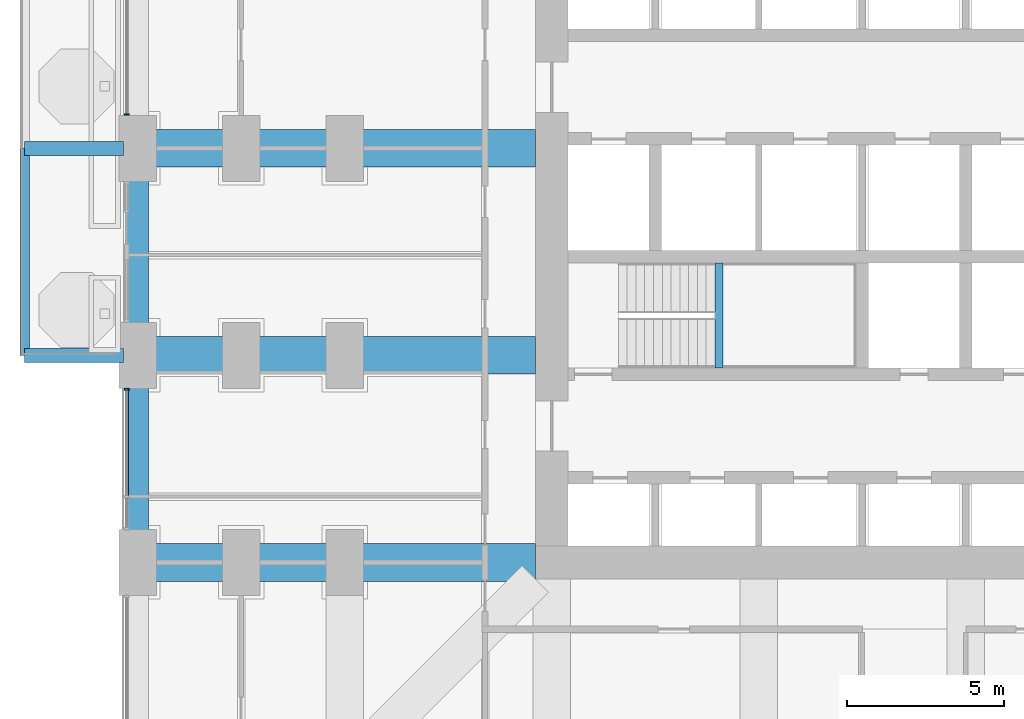
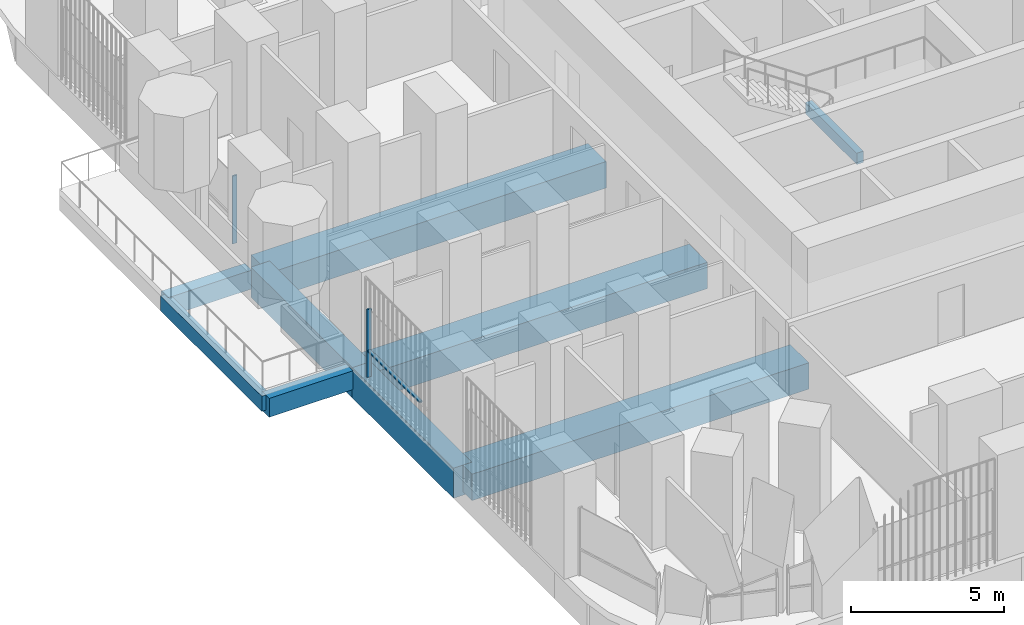
# One storey, part 3 of 26: 9 beams, 3 members, 2 elements without a shape of their own.
"""IFC4 building model written with IfcOpenShell, lengths in metres."""

from ifc_helpers import new_model, si_unit, direction, frame, origin, origin_2d, place, context, subcontext, project, spatial, rectangle, extrude, material, material_profile, profile_set, type_object, element, aggregate, save


model = new_model("IFC4")

# Units and contexts
model_context = context("Model", 3, precision=1e-05, world=origin(), true_north=direction((0.0, 1.0)))
body_context = subcontext(model_context, "Body", "Model", "MODEL_VIEW")
ifc_project = project(units=[si_unit("LENGTHUNIT", "METRE"), si_unit("AREAUNIT", "SQUARE_METRE"), si_unit("VOLUMEUNIT", "CUBIC_METRE"), si_unit("PLANEANGLEUNIT", "RADIAN"), si_unit("MASSUNIT", "GRAM", prefix="KILO")], contexts=[model_context])

# Site, building, storey
site_placement = place(None, origin())
site = spatial("IfcSite", under=ifc_project, at=site_placement, CompositionType="ELEMENT")
building_placement = place(site_placement, origin())
building = spatial("IfcBuilding", under=site, at=building_placement, Name="Cobogo Forest Laboratory Tower", CompositionType="ELEMENT")
storey_placement = place(building_placement, frame((0.0, 0.0, 50.699951171875)))
storey = spatial("IfcBuildingStorey", under=building, at=storey_placement, Name="L11", CompositionType="ELEMENT", Elevation=50.699951171875)

# Beams
ifc_material_1 = material(Name="Concrete HA-40 (C40/50)", Category="concrete")
ifc_material_profile_1 = material_profile(ifc_material_1, rectangle(XDim=0.449951171875, YDim=0.75, at=origin_2d()), Name="RC 450x750")
ifc_profile_set_1 = profile_set([ifc_material_profile_1], Name="Concrete HA-40 (C40/50)")
beam_type_1 = type_object("IfcBeamType", Name="Balcony cantilever beam 450x750", PredefinedType="BEAM", material=ifc_profile_set_1)
for number, where, z_axis, x_axis, name in (
    (1, (-0.449951171875, 19.800048828125, -0.625), (-1.0, 0.0, 0.0), (0.0, -1.0, 0.0), "CB1 BAL-W1-C1 L11"),
    (2, (-0.449951171875, 26.39990234375, -0.625), (-1.0, 0.0, 0.0), (0.0, -1.0, 0.0), "CB1 BAL-W1-C2 L11"),
):
    element("IfcBeam", number, at=place(storey_placement, frame(where, z_axis=z_axis, x_axis=x_axis)), inside=storey, type_object=beam_type_1, Name=name, PredefinedType="BEAM", context=body_context, shape_type="SweptSolid", body=[
        extrude(rectangle(XDim=0.449951171875, YDim=0.75, at=origin_2d()), origin(), (0.0, 0.0, 1.0), 3.150146484375),
    ])
ifc_material_profile_2 = material_profile(ifc_material_1, rectangle(XDim=0.300048828125, YDim=0.60009765625, at=origin_2d()), Name="RC 300x600")
ifc_profile_set_2 = profile_set([ifc_material_profile_2], Name="Concrete HA-40 (C40/50)")
beam_type_2 = type_object("IfcBeamType", Name="Balcony edge beam 300x600", PredefinedType="BEAM", material=ifc_profile_set_2)
beam_1_placement = place(storey_placement, frame((-3.60009765625, 19.800048828125, -0.550048828125), z_axis=(0.0, 1.0, 0.0), x_axis=(-1.0, 0.0, 0.0)))
element("IfcBeam", 3, at=beam_1_placement, inside=storey, type_object=beam_type_2, Name="BB1 BAL-W1-T1 L11", PredefinedType="BEAM", context=body_context, shape_type="SweptSolid", body=[
    extrude(rectangle(XDim=0.300048828125, YDim=0.60009765625, at=origin_2d()), origin(), (0.0, 0.0, 1.0), 6.599853515625),
])
ifc_material_profile_3 = material_profile(ifc_material_1, rectangle(XDim=0.25, YDim=0.449951171875, at=origin_2d()), Name="RC 250x450")
ifc_profile_set_3 = profile_set([ifc_material_profile_3], Name="Concrete HA-40 (C40/50)")
beam_type_3 = type_object("IfcBeamType", Name="LB1 landing beam 250x450", PredefinedType="BEAM", material=ifc_profile_set_3)
beam_2_placement = place(storey_placement, frame((18.530029296875, 19.39990234375, 1.675048828125), z_axis=(0.0, 1.0, 0.0), x_axis=(-1.0, 0.0, 0.0)))
element("IfcBeam", 4, at=beam_2_placement, inside=storey, type_object=beam_type_3, Name="Landing beam ST1 L11", PredefinedType="BEAM", context=body_context, shape_type="SweptSolid", body=[
    extrude(rectangle(XDim=0.25, YDim=0.449951171875, at=origin_2d()), origin(), (0.0, 0.0, 1.0), 3.35009765625),
])
ifc_material_profile_4 = material_profile(ifc_material_1, rectangle(XDim=1.199951171875, YDim=1.050048828125, at=origin_2d()), Name="RC 1200x1050")
ifc_profile_set_4 = profile_set([ifc_material_profile_4], Name="Concrete HA-40 (C40/50)")
beam_type_4 = type_object("IfcBeamType", Name="Laboratory floor wide beam 1200x1050", PredefinedType="BEAM", material=ifc_profile_set_4)
for number, where, z_axis, x_axis, name in (
    (5, (12.675048828125, 13.199951171875, -0.824951171875), (-1.0, 0.0, 0.0), (0.0, -1.0, 0.0), "RB1 R-C-W L11"),
    (6, (12.675048828125, 19.800048828125, -0.824951171875), (-1.0, 0.0, 0.0), (0.0, -1.0, 0.0), "RB1 R-D-W L11"),
    (7, (12.675048828125, 26.39990234375, -0.824951171875), (-1.0, 0.0, 0.0), (0.0, -1.0, 0.0), "RB1 R-E-W L11"),
):
    element("IfcBeam", number, at=place(storey_placement, frame(where, z_axis=z_axis, x_axis=x_axis)), inside=storey, type_object=beam_type_4, Name=name, PredefinedType="BEAM", context=body_context, shape_type="SweptSolid", body=[
        extrude(rectangle(XDim=1.199951171875, YDim=1.050048828125, at=origin_2d()), origin(), (0.0, 0.0, 1.0), 12.675048828125),
    ])

# Curtain wall, member
ifc_material_2 = material(Name="Aluminium curtain wall", Category="aluminium")
curtain_wall_type = type_object("IfcCurtainWallType", Name="CW-1 unitised curtain wall, clear glazing, laboratory floors zones A and B", PredefinedType="USERDEFINED", material=ifc_material_2)
curtain_wall_1_placement = place(storey_placement, origin())
curtain_wall_1 = element("IfcCurtainWall", 8, at=curtain_wall_1_placement, inside=storey, type_object=curtain_wall_type, Name="Curtain wall 28 L11", ObjectType="UNITISED CURTAIN WALL", PredefinedType="USERDEFINED")
ifc_material_3 = material(Name="Aluminium mullion", Category="aluminium")
ifc_material_profile_5 = material_profile(ifc_material_3, rectangle(XDim=0.06005859375, YDim=0.159912109375, at=origin_2d()), Name="AL 60x160")
ifc_profile_set_5 = profile_set([ifc_material_profile_5], Name="Aluminium mullion")
member_type_1 = type_object("IfcMemberType", Name="MU-1 aluminium mullion 60x160", PredefinedType="MULLION", material=ifc_profile_set_5)
member_1_placement = place(storey_placement, frame((-0.35009765625, 27.47998046875, 0.0), z_axis=(0.0, 0.0, 1.0), x_axis=(0.0, -1.0, 0.0)))
member_1 = element("IfcMember", 9, at=member_1_placement, type_object=member_type_1, Name="CW-1 mullion 2", PredefinedType="MULLION", context=body_context, shape_type="SweptSolid", body=[
    extrude(rectangle(XDim=0.06005859375, YDim=0.159912109375, at=origin_2d()), origin(), (0.0, 0.0, 1.0), 2.699951171875),
])
aggregate(curtain_wall_1, [member_1])

curtain_wall_2_placement = place(storey_placement, origin())
curtain_wall_2 = element("IfcCurtainWall", 10, at=curtain_wall_2_placement, inside=storey, type_object=curtain_wall_type, Name="Curtain wall 30 L11", ObjectType="UNITISED CURTAIN WALL", PredefinedType="USERDEFINED")
member_2_placement = place(storey_placement, frame((-0.35009765625, 18.719970703125, 0.0), z_axis=(0.0, 0.0, 1.0), x_axis=(0.0, -1.0, 0.0)))
member_2 = element("IfcMember", 11, at=member_2_placement, type_object=member_type_1, Name="CW-1 mullion 1", PredefinedType="MULLION", context=body_context, shape_type="SweptSolid", body=[
    extrude(rectangle(XDim=0.06005859375, YDim=0.159912109375, at=origin_2d()), origin(), (0.0, 0.0, 1.0), 2.699951171875),
])

# Beams
ifc_material_profile_6 = material_profile(ifc_material_1, rectangle(XDim=0.699951171875, YDim=1.199951171875, at=origin_2d()), Name="RC 700x1200")
ifc_profile_set_6 = profile_set([ifc_material_profile_6], Name="Concrete HA-40 (C40/50)")
beam_type_5 = type_object("IfcBeamType", Name="Perimeter edge beam 700x1200", PredefinedType="BEAM", material=ifc_profile_set_6)
beam_3_placement = place(storey_placement, frame((0.0, 13.199951171875, -0.89990234375), z_axis=(0.0, 1.0, 0.0), x_axis=(-1.0, 0.0, 0.0)))
element("IfcBeam", 12, at=beam_3_placement, inside=storey, type_object=beam_type_5, Name="EB1 E-W2 L11", PredefinedType="BEAM", context=body_context, shape_type="SweptSolid", body=[
    extrude(rectangle(XDim=0.699951171875, YDim=1.199951171875, at=origin_2d()), origin(), (0.0, 0.0, 1.0), 6.60009765625),
])
beam_4_placement = place(storey_placement, frame((0.0, 19.800048828125, -0.89990234375), z_axis=(0.0, 1.0, 0.0), x_axis=(-1.0, 0.0, 0.0)))
element("IfcBeam", 13, at=beam_4_placement, inside=storey, type_object=beam_type_5, Name="EB1 E-W3 L11", PredefinedType="BEAM", context=body_context, shape_type="SweptSolid", body=[
    extrude(rectangle(XDim=0.699951171875, YDim=1.199951171875, at=origin_2d()), origin(), (0.0, 0.0, 1.0), 6.599853515625),
])

# Member
ifc_material_4 = material(Name="Aluminium transom", Category="aluminium")
ifc_material_profile_7 = material_profile(ifc_material_4, rectangle(XDim=0.1201171875, YDim=0.06005859375, at=origin_2d()), Name="AL 60x120")
ifc_profile_set_7 = profile_set([ifc_material_profile_7], Name="Aluminium transom")
member_type_2 = type_object("IfcMemberType", Name="TR-1 aluminium transom 60x120", PredefinedType="USERDEFINED", material=ifc_profile_set_7)
member_3_placement = place(storey_placement, frame((-0.35009765625, 18.68994140625, 1.050048828125), z_axis=(0.0, -1.0, 0.0), x_axis=(1.0, 0.0, 0.0)))
member_3 = element("IfcMember", 14, at=member_3_placement, type_object=member_type_2, Name="CW-1 transom 1.1", ObjectType="TRANSOM", PredefinedType="USERDEFINED", context=body_context, shape_type="SweptSolid", body=[
    extrude(rectangle(XDim=0.1201171875, YDim=0.06005859375, at=origin_2d()), origin(), (0.0, 0.0, 1.0), 3.35986328125),
])

aggregate(curtain_wall_2, [member_2, member_3])

save(model, "model.ifc")
